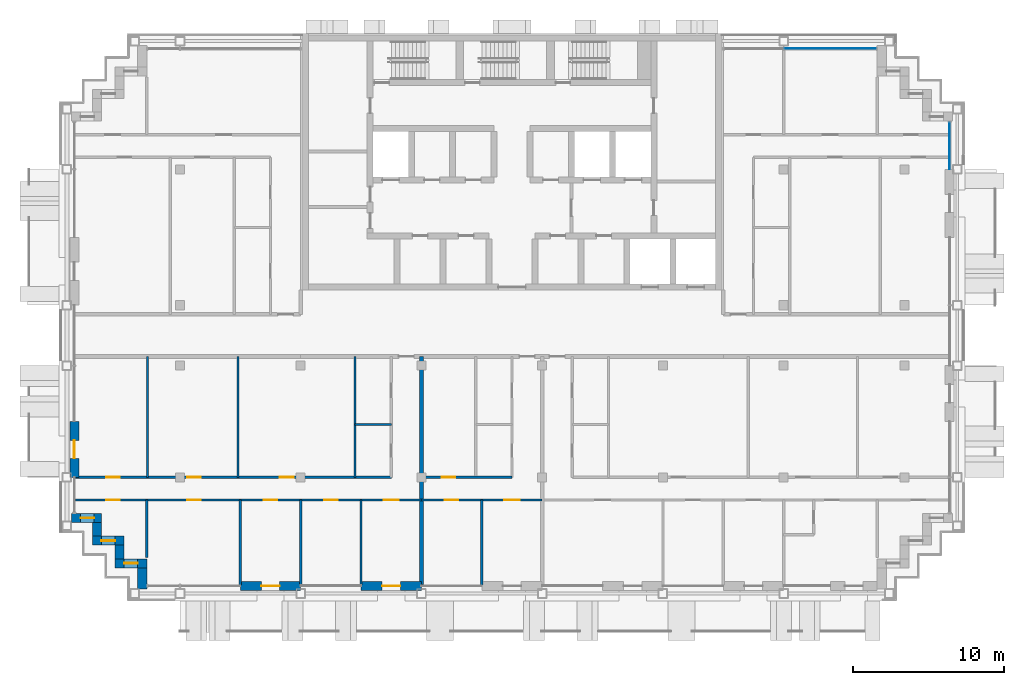
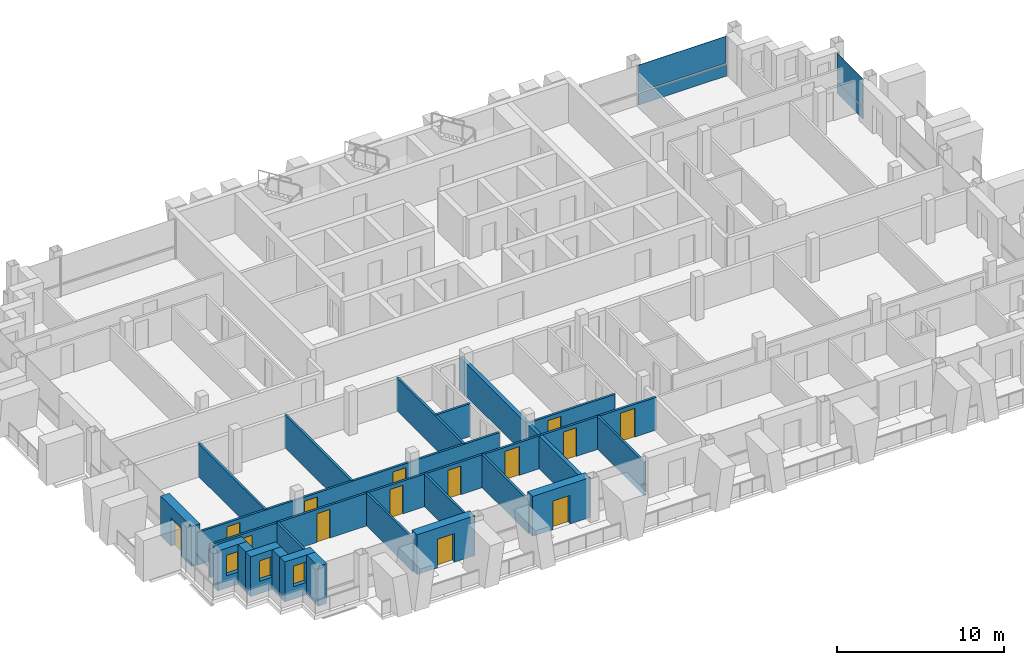
# One storey, part 7 of 16: 23 walls, 14 doors, 4 plates, 3 windows, 17 openings, 2 elements without a shape of their own.
"""IFC4 building model written with IfcOpenShell, lengths in metres."""

import ifcopenshell
import ifcopenshell.guid

model = None  # the IFC model being written
_history = None  # IfcOwnerHistory: only IFC2X3 demands one
_inside = {}  # id of a spatial element -> (the spatial element, [elements in it])
_under = {}  # id of a project, library or spatial element -> (it, [spatial elements below it])
_declared = {}  # id of a project -> (the project, [libraries it declares])
_typed = {}  # id of a type object -> (the type object, [elements of that type])
_made_of = {}  # id of a material, layer set ... -> (it, [elements and type objects made of it])


def new_model(schema):
    """Start an empty IFC model of exactly this schema.

    Asked for "IFC4X3", IfcOpenShell would pick the latest addendum, in which some entities
    have other attributes; the version numbers below select the first issue.
    IFC2X3 requires an IfcOwnerHistory on every rooted entity: one is made here for all.
    """
    global model, _history
    if schema == "IFC4X3":
        model = ifcopenshell.file(schema_version=(4, 3, 0, 0))
    else:
        model = ifcopenshell.file(schema=schema)
    _inside.clear()
    _under.clear()
    _declared.clear()
    _typed.clear()
    _made_of.clear()
    _history = None
    if model.schema == "IFC2X3":
        org = make("IfcOrganization", Name="unknown")
        user = make(
            "IfcPersonAndOrganization",
            ThePerson=make("IfcPerson", FamilyName="unknown"),
            TheOrganization=org,
        )
        app = make(
            "IfcApplication",
            ApplicationDeveloper=org,
            Version="unknown",
            ApplicationFullName="unknown",
            ApplicationIdentifier="unknown",
        )
        _history = make(
            "IfcOwnerHistory",
            OwningUser=user,
            OwningApplication=app,
            ChangeAction="ADDED",
            CreationDate=0,
        )
    return model


def make(cls, **values):
    """One entity of the class cls with the attributes given. An attribute that is None is left unset."""
    return model.create_entity(
        cls, **{name: value for name, value in values.items() if value is not None}
    )


def rooted(cls, **values):
    """An entity with a GlobalId (a new one), such as an element, a storey or a relation."""
    return make(cls, GlobalId=ifcopenshell.guid.new(), OwnerHistory=_history, **values)


def si_unit(unit_type, name, prefix=None):
    """IfcSIUnit, for example si_unit("LENGTHUNIT", "METRE", prefix="MILLI")."""
    return make("IfcSIUnit", UnitType=unit_type, Prefix=prefix, Name=name)


def assignment(units):
    """IfcUnitAssignment: the units of a project."""
    return None if units is None else make("IfcUnitAssignment", Units=units)


def point(xyz):
    """IfcCartesianPoint."""
    return None if xyz is None else make("IfcCartesianPoint", Coordinates=xyz)


def direction(xyz):
    """IfcDirection."""
    return None if xyz is None else make("IfcDirection", DirectionRatios=xyz)


def frame(location, z_axis=None, x_axis=None):
    """IfcAxis2Placement3D, a coordinate frame: its origin and axes. An axis left out is left unset."""
    return make(
        "IfcAxis2Placement3D",
        Location=point(location),
        Axis=direction(z_axis),
        RefDirection=direction(x_axis),
    )


def frame_2d(location, x_axis=None):
    """IfcAxis2Placement2D, a coordinate frame in the plane: its origin and x axis."""
    return make(
        "IfcAxis2Placement2D", Location=point(location), RefDirection=direction(x_axis)
    )


def origin():
    """The frame at (0, 0, 0) with its axes left unset."""
    return frame((0.0, 0.0, 0.0))


def origin_2d():
    """The frame at (0, 0) in the plane with its x axis left unset."""
    return frame_2d((0.0, 0.0))


def place(relative_to, where):
    """IfcLocalPlacement: puts the frame where relative to a parent placement (None: the world)."""
    return make(
        "IfcLocalPlacement", PlacementRelTo=relative_to, RelativePlacement=where
    )


def context(
    kind, dimensions, precision=None, world=None, true_north=None, identifier=None
):
    """IfcGeometricRepresentationContext, for example the 3D "Model" context."""
    return make(
        "IfcGeometricRepresentationContext",
        ContextIdentifier=identifier,
        ContextType=kind,
        CoordinateSpaceDimension=dimensions,
        Precision=precision,
        WorldCoordinateSystem=world,
        TrueNorth=true_north,
    )


def subcontext(parent, identifier, kind, view, scale=None):
    """IfcGeometricRepresentationSubContext, for example "Body" below "Model"."""
    return make(
        "IfcGeometricRepresentationSubContext",
        ContextIdentifier=identifier,
        ContextType=kind,
        ParentContext=parent,
        TargetScale=scale,
        TargetView=view,
    )


def project(units=None, contexts=None):
    """IfcProject with its units and contexts."""
    return rooted(
        "IfcProject",
        Name="project",
        RepresentationContexts=contexts,
        UnitsInContext=assignment(units),
    )


def spatial(cls, under=None, at=None, **own):
    """A site, building, storey or space (cls), placed at a placement, below another one or the project."""
    s = rooted(cls, ObjectPlacement=at, **own)
    if under is not None:
        _under.setdefault(under.id(), (under, []))[1].append(s)
    return s


def profile(cls, at=None, kind="AREA", **sizes):
    """A parametric profile (cls). Its sizes go by their IFC names, for example OverallWidth=200.0."""
    return make(cls, ProfileType=kind, Position=at, **sizes)


def rectangle(**sizes):
    """IfcRectangleProfileDef."""
    return profile("IfcRectangleProfileDef", **sizes)


def extrude(swept, where, along, depth):
    """IfcExtrudedAreaSolid: the profile swept, set in the frame where, extruded along a direction by depth."""
    return make(
        "IfcExtrudedAreaSolid",
        SweptArea=swept,
        Position=where,
        ExtrudedDirection=direction(along),
        Depth=depth,
    )


def shape(context_of_items, identifier, shape_type, items):
    """IfcShapeRepresentation: the items that make up one representation, for example the "Body"."""
    return make(
        "IfcShapeRepresentation",
        ContextOfItems=context_of_items,
        RepresentationIdentifier=identifier,
        RepresentationType=shape_type,
        Items=items,
    )


def material(Name=None, Category=None):
    """IfcMaterial."""
    return make("IfcMaterial", Name=Name, Category=Category)


def layer(
    of_material, thickness, ventilated=None, Name=None, Category=None, Priority=None
):
    """IfcMaterialLayer: one layer of a wall or slab, of a material (None: an air gap)."""
    return make(
        "IfcMaterialLayer",
        Material=of_material,
        LayerThickness=thickness,
        IsVentilated=ventilated,
        Name=Name,
        Category=Category,
        Priority=Priority,
    )


def layer_set(layers, Name=None):
    """IfcMaterialLayerSet."""
    return make("IfcMaterialLayerSet", MaterialLayers=layers, LayerSetName=Name)


def made_of(thing, what):
    """Note that an element or type object is made of a material, layer set ...; save() writes the relation."""
    if what is not None:
        _made_of.setdefault(what.id(), (what, []))[1].append(thing)
    return thing


def type_object(cls, material=None, **own):
    """A type object (cls), such as IfcWallType, which elements share."""
    return made_of(rooted(cls, **own), material)


def element(
    cls,
    number,
    at=None,
    inside=None,
    cuts=None,
    type_object=None,
    material=None,
    context=None,
    identifier="Body",
    shape_type=None,
    held_by="IfcProductDefinitionShape",
    body=None,
    shapes=None,
    **own,
):
    """One element of the class cls, such as IfcWall. Its Tag is "e" and its number.

    at: its placement. inside: the storey or other place that contains it. cuts: it is an
    opening in that element (IfcRelVoidsElement). A single representation is given by context,
    identifier, shape_type and body (its items); several are given by shapes. held_by: the class
    of the entity that holds the representations. save() writes the other relations.
    """
    e = rooted(cls, Tag="e%d" % number, ObjectPlacement=at, **own)
    if body is not None:
        shapes = [shape(context, identifier, shape_type, body)]
    if shapes is not None:
        e.Representation = make(held_by, Representations=shapes)
    if inside is not None:
        _inside.setdefault(inside.id(), (inside, []))[1].append(e)
    if cuts is not None:
        rooted(
            "IfcRelVoidsElement", RelatingBuildingElement=cuts, RelatedOpeningElement=e
        )
    if type_object is not None:
        _typed.setdefault(type_object.id(), (type_object, []))[1].append(e)
    return made_of(e, material)


def fill(opening, filler):
    """IfcRelFillsElement: the door or window that sits in an opening."""
    return rooted(
        "IfcRelFillsElement",
        RelatingOpeningElement=opening,
        RelatedBuildingElement=filler,
    )


def aggregate(whole, parts):
    """IfcRelAggregates: a whole, such as a stair, and the parts it consists of."""
    return rooted("IfcRelAggregates", RelatingObject=whole, RelatedObjects=parts)


def save(model, path):
    """Write the relations noted so far, then the file.

    IfcRelAggregates (storeys below a building ...), IfcRelContainedInSpatialStructure (elements
    in a storey), IfcRelDefinesByType, IfcRelAssociatesMaterial and IfcRelDeclares: one each for
    every whole, place, type object, material and project.
    """
    for whole, parts in _under.values():
        aggregate(whole, parts)
    for where, things in _inside.values():
        rooted(
            "IfcRelContainedInSpatialStructure",
            RelatedElements=things,
            RelatingStructure=where,
        )
    for kind, things in _typed.values():
        rooted("IfcRelDefinesByType", RelatedObjects=things, RelatingType=kind)
    for what, things in _made_of.values():
        rooted("IfcRelAssociatesMaterial", RelatedObjects=things, RelatingMaterial=what)
    for by, libraries in _declared.values():
        rooted("IfcRelDeclares", RelatingContext=by, RelatedDefinitions=libraries)
    model.write(path)


model = new_model("IFC4")

# Units and contexts
model_context = context("Model", 3, precision=1e-05, world=origin(), true_north=direction((0.0, 1.0)))
body_context = subcontext(model_context, "Body", "Model", "MODEL_VIEW")
ifc_project = project(units=[si_unit("LENGTHUNIT", "METRE"), si_unit("AREAUNIT", "SQUARE_METRE"), si_unit("VOLUMEUNIT", "CUBIC_METRE"), si_unit("PLANEANGLEUNIT", "RADIAN"), si_unit("MASSUNIT", "GRAM", prefix="KILO")], contexts=[model_context])

# Site, building, storey
site_placement = place(None, origin())
site = spatial("IfcSite", under=ifc_project, at=site_placement, CompositionType="ELEMENT")
building_placement = place(site_placement, origin())
building = spatial("IfcBuilding", under=site, at=building_placement, Name="Vidyagriha Tower", CompositionType="ELEMENT")
storey_placement = place(building_placement, frame((0.0, 0.0, 223.60009765625)))
storey = spatial("IfcBuildingStorey", under=building, at=storey_placement, Name="L58", CompositionType="ELEMENT", Elevation=223.60009765625)

# Curtain wall, plate
ifc_material_1 = material(Name="Aluminium and glass curtain wall", Category="aluminium")
curtain_wall_type = type_object("IfcCurtainWallType", Name="Dwelling skin unitised curtain wall", PredefinedType="USERDEFINED", material=ifc_material_1)
curtain_wall_1_placement = place(storey_placement, origin())
curtain_wall_1 = element("IfcCurtainWall", 1, at=curtain_wall_1_placement, inside=storey, type_object=curtain_wall_type, Name="CW1 dwelling skin", ObjectType="UNITISED", PredefinedType="USERDEFINED")
ifc_material_2 = material(Name="Glass dark ceramic-fritted spandrel", Category="glass")
ifc_layer_1 = layer(ifc_material_2, 0.0400390625)
ifc_layer_set_1 = layer_set([ifc_layer_1], Name="Glass dark ceramic-fritted spandrel")
plate_type_1 = type_object("IfcPlateType", Name="Ceramic-fritted spandrel panel", PredefinedType="CURTAIN_PANEL", material=ifc_layer_set_1)
plate_1_placement = place(storey_placement, frame((21.08251953125, 19.0, -0.000244140625), z_axis=(0.0, 0.0, 1.0), x_axis=(-1.0, 0.0, 0.0)))
plate_1 = element("IfcPlate", 2, at=plate_1_placement, type_object=plate_type_1, Name="CW1 panel 1.1", PredefinedType="CURTAIN_PANEL", context=body_context, shape_type="SweptSolid", body=[
    extrude(rectangle(XDim=6.094970703125, YDim=0.0400390625, at=origin_2d()), origin(), (0.0, 0.0, 1.0), 0.85009765625),
])

curtain_wall_2_placement = place(storey_placement, origin())
curtain_wall_2 = element("IfcCurtainWall", 3, at=curtain_wall_2_placement, inside=storey, type_object=curtain_wall_type, Name="CW1 dwelling skin", ObjectType="UNITISED", PredefinedType="USERDEFINED")
plate_2_placement = place(storey_placement, frame((29.0, 12.56494140625, -0.000244140625), z_axis=(0.0, 0.0, 1.0), x_axis=(0.0, 1.0, 0.0)))
plate_2 = element("IfcPlate", 4, at=plate_2_placement, type_object=plate_type_1, Name="CW1 panel 1.1", PredefinedType="CURTAIN_PANEL", context=body_context, shape_type="SweptSolid", body=[
    extrude(rectangle(XDim=3.1298828125, YDim=0.0400390625, at=origin_2d()), origin(), (0.0, 0.0, 1.0), 0.85009765625),
])

# Plate
ifc_material_3 = material(Name="Glass dark ceramic-fritted", Category="glass")
ifc_layer_2 = layer(ifc_material_3, 0.028076171875)
ifc_layer_set_2 = layer_set([ifc_layer_2], Name="Glass dark ceramic-fritted")
plate_type_2 = type_object("IfcPlateType", Name="Dark ceramic-fritted vision glass panel", PredefinedType="CURTAIN_PANEL", material=ifc_layer_set_2)
plate_3_placement = place(storey_placement, frame((21.08251953125, 19.0, 0.94970703125), z_axis=(0.0, 0.0, 1.0), x_axis=(-1.0, 0.0, 0.0)))
plate_3 = element("IfcPlate", 5, at=plate_3_placement, type_object=plate_type_2, Name="CW1 panel 1.2", PredefinedType="CURTAIN_PANEL", context=body_context, shape_type="SweptSolid", body=[
    extrude(rectangle(XDim=6.094970703125, YDim=0.028076171875, at=origin_2d()), origin(), (0.0, 0.0, 1.0), 1.969970703125),
])

aggregate(curtain_wall_1, [plate_1, plate_3])

plate_4_placement = place(storey_placement, frame((29.0, 12.56494140625, 0.94970703125), z_axis=(0.0, 0.0, 1.0), x_axis=(0.0, 1.0, 0.0)))
plate_4 = element("IfcPlate", 6, at=plate_4_placement, type_object=plate_type_2, Name="CW1 panel 1.2", PredefinedType="CURTAIN_PANEL", context=body_context, shape_type="SweptSolid", body=[
    extrude(rectangle(XDim=3.1298828125, YDim=0.028076171875, at=origin_2d()), origin(), (0.0, 0.0, 1.0), 1.969970703125),
])

aggregate(curtain_wall_2, [plate_2, plate_4])

# Wall, opening, door
ifc_material_4 = material(Name="Precast concrete C40/50 with brick facing", Category="concrete")
ifc_layer_3 = layer(ifc_material_4, 0.60009765625)
ifc_layer_set_3 = layer_set([ifc_layer_3], Name="Precast concrete C40/50 with brick facing")
wall_type_1 = type_object("IfcWallType", Name="Brick-faced precast wall 600", PredefinedType="STANDARD", material=ifc_layer_set_3)
wall_1_placement = place(storey_placement, frame((-29.0, -5.699951171875, 0.0), z_axis=(0.0, 0.0, 1.0), x_axis=(0.0, -1.0, 0.0)))
wall_1 = element("IfcWall", 7, at=wall_1_placement, inside=storey, type_object=wall_type_1, Name="Brick door bay wall L58 R16.6", PredefinedType="STANDARD", context=body_context, shape_type="SweptSolid", body=[
    extrude(rectangle(XDim=3.699951171875, YDim=0.60009765625, at=frame_2d((1.85009765625, 0.0))), origin(), (0.0, 0.0, 1.0), 2.919921875),
])
opening_1_placement = place(wall_1_placement, frame((1.25, 0.0, 0.0)))
opening_1 = element("IfcOpeningElement", 8, at=opening_1_placement, cuts=wall_1, Name="Opening D58-63", PredefinedType="OPENING", context=body_context, shape_type="SweptSolid", body=[
    extrude(rectangle(XDim=1.199951171875, YDim=2.10009765625, at=frame_2d((0.60009765625, 1.050048828125))), frame((0.0, 0.31005859375, 0.0), z_axis=(0.0, -1.0, 0.0), x_axis=(1.0, 0.0, 0.0)), (0.0, 0.0, 1.0), 0.6201171875),
])
ifc_material_5 = material(Name="Aluminium framed glazed sliding door", Category="aluminium")
door_type_1 = type_object("IfcDoorType", Name="Balcony sliding door 1200x2100", OperationType="NOTDEFINED", PredefinedType="DOOR", material=ifc_material_5)
door_1_placement = place(opening_1_placement, origin())
door_1 = element("IfcDoor", 9, at=door_1_placement, inside=storey, type_object=door_type_1, Name="Door D58-63", OperationType="SLIDING_TO_LEFT", OverallHeight=2.10009765625, OverallWidth=1.199951171875, PredefinedType="DOOR", context=body_context, shape_type="SweptSolid", body=[
    extrude(rectangle(XDim=1.199951171875, YDim=2.10009765625, at=frame_2d((0.60009765625, 1.050048828125))), frame((0.0, 0.02490234375, 0.0), z_axis=(0.0, -1.0, 0.0), x_axis=(1.0, 0.0, 0.0)), (0.0, 0.0, 1.0), 0.050048828125),
])
fill(opening_1, door_1)

# Wall, opening, window
wall_2_placement = place(storey_placement, frame((-29.199951171875, -12.10009765625, 0.0)))
wall_2 = element("IfcWall", 10, at=wall_2_placement, inside=storey, type_object=wall_type_1, Name="Stepped corner wall L58 R17", PredefinedType="STANDARD", context=body_context, shape_type="SweptSolid", body=[
    extrude(rectangle(XDim=2.0, YDim=0.60009765625, at=frame_2d((1.0, 0.0))), origin(), (0.0, 0.0, 1.0), 2.919921875),
])
opening_2_placement = place(wall_2_placement, frame((0.610107421875, 0.0, 0.89990234375)))
opening_2 = element("IfcOpeningElement", 11, at=opening_2_placement, cuts=wall_2, Name="Opening WN1", PredefinedType="OPENING", context=body_context, shape_type="SweptSolid", body=[
    extrude(rectangle(XDim=0.89990234375, YDim=1.5, at=frame_2d((0.449951171875, 0.75))), frame((0.0, 0.31005859375, 0.0), z_axis=(0.0, -1.0, 0.0), x_axis=(1.0, 0.0, 0.0)), (0.0, 0.0, 1.0), 0.6201171875),
])
ifc_material_6 = material(Name="Aluminium and glass window", Category="aluminium")
window_type = type_object("IfcWindowType", Name="Reveal window 900x1500", PartitioningType="NOTDEFINED", PredefinedType="WINDOW", material=ifc_material_6)
window_1_placement = place(opening_2_placement, origin())
window_1 = element("IfcWindow", 12, at=window_1_placement, inside=storey, type_object=window_type, Name="Reveal window L58 R17", OverallHeight=1.5, OverallWidth=0.89990234375, PartitioningType="SINGLE_PANEL", PredefinedType="WINDOW", context=body_context, shape_type="SweptSolid", body=[
    extrude(rectangle(XDim=0.89990234375, YDim=1.5, at=frame_2d((0.449951171875, 0.75))), frame((0.0, 0.030029296875, 0.0), z_axis=(0.0, -1.0, 0.0), x_axis=(1.0, 0.0, 0.0)), (0.0, 0.0, 1.0), 0.06005859375),
])
fill(opening_2, window_1)

# Wall
wall_3_placement = place(storey_placement, frame((-27.5, -12.39990234375, 0.0), z_axis=(0.0, 0.0, 1.0), x_axis=(0.0, -1.0, 0.0)))
element("IfcWall", 13, at=wall_3_placement, inside=storey, type_object=wall_type_1, Name="Stepped corner wall L58 R18", PredefinedType="STANDARD", context=body_context, shape_type="SweptSolid", body=[
    extrude(rectangle(XDim=0.900146484375, YDim=0.60009765625, at=frame_2d((0.4501953125, 0.0))), origin(), (0.0, 0.0, 1.0), 2.919921875),
])

# Wall, opening, window
wall_4_placement = place(storey_placement, frame((-27.800048828125, -13.60009765625, 0.0)))
wall_4 = element("IfcWall", 14, at=wall_4_placement, inside=storey, type_object=wall_type_1, Name="Stepped corner wall L58 R19", PredefinedType="STANDARD", context=body_context, shape_type="SweptSolid", body=[
    extrude(rectangle(XDim=2.10009765625, YDim=0.60009765625, at=frame_2d((1.050048828125, 0.0))), origin(), (0.0, 0.0, 1.0), 2.919921875),
])
opening_3_placement = place(wall_4_placement, frame((0.60009765625, 0.0, 0.89990234375)))
opening_3 = element("IfcOpeningElement", 15, at=opening_3_placement, cuts=wall_4, Name="Opening WN1", PredefinedType="OPENING", context=body_context, shape_type="SweptSolid", body=[
    extrude(rectangle(XDim=0.89990234375, YDim=1.5, at=frame_2d((0.449951171875, 0.75))), frame((0.0, 0.31005859375, 0.0), z_axis=(0.0, -1.0, 0.0), x_axis=(1.0, 0.0, 0.0)), (0.0, 0.0, 1.0), 0.6201171875),
])
window_2_placement = place(opening_3_placement, origin())
window_2 = element("IfcWindow", 16, at=window_2_placement, inside=storey, type_object=window_type, Name="Reveal window L58 R19", OverallHeight=1.5, OverallWidth=0.89990234375, PartitioningType="SINGLE_PANEL", PredefinedType="WINDOW", context=body_context, shape_type="SweptSolid", body=[
    extrude(rectangle(XDim=0.89990234375, YDim=1.5, at=frame_2d((0.449951171875, 0.75))), frame((0.0, 0.030029296875, 0.0), z_axis=(0.0, -1.0, 0.0), x_axis=(1.0, 0.0, 0.0)), (0.0, 0.0, 1.0), 0.06005859375),
])
fill(opening_3, window_2)

# Wall
wall_5_placement = place(storey_placement, frame((-26.0, -13.89990234375, 0.0), z_axis=(0.0, 0.0, 1.0), x_axis=(0.0, -1.0, 0.0)))
element("IfcWall", 17, at=wall_5_placement, inside=storey, type_object=wall_type_1, Name="Stepped corner wall L58 R20", PredefinedType="STANDARD", context=body_context, shape_type="SweptSolid", body=[
    extrude(rectangle(XDim=0.900146484375, YDim=0.60009765625, at=frame_2d((0.4501953125, 0.0))), origin(), (0.0, 0.0, 1.0), 2.919921875),
])

# Wall, opening, window
wall_6_placement = place(storey_placement, frame((-26.300048828125, -15.10009765625, 0.0)))
wall_6 = element("IfcWall", 18, at=wall_6_placement, inside=storey, type_object=wall_type_1, Name="Stepped corner wall L58 R21", PredefinedType="STANDARD", context=body_context, shape_type="SweptSolid", body=[
    extrude(rectangle(XDim=2.10009765625, YDim=0.60009765625, at=frame_2d((1.050048828125, 0.0))), origin(), (0.0, 0.0, 1.0), 2.919921875),
])
opening_4_placement = place(wall_6_placement, frame((0.60009765625, 0.0, 0.89990234375)))
opening_4 = element("IfcOpeningElement", 19, at=opening_4_placement, cuts=wall_6, Name="Opening WN1", PredefinedType="OPENING", context=body_context, shape_type="SweptSolid", body=[
    extrude(rectangle(XDim=0.89990234375, YDim=1.5, at=frame_2d((0.449951171875, 0.75))), frame((0.0, 0.31005859375, 0.0), z_axis=(0.0, -1.0, 0.0), x_axis=(1.0, 0.0, 0.0)), (0.0, 0.0, 1.0), 0.6201171875),
])
window_3_placement = place(opening_4_placement, origin())
window_3 = element("IfcWindow", 20, at=window_3_placement, inside=storey, type_object=window_type, Name="Reveal window L58 R21", OverallHeight=1.5, OverallWidth=0.89990234375, PartitioningType="SINGLE_PANEL", PredefinedType="WINDOW", context=body_context, shape_type="SweptSolid", body=[
    extrude(rectangle(XDim=0.89990234375, YDim=1.5, at=frame_2d((0.449951171875, 0.75))), frame((0.0, 0.030029296875, 0.0), z_axis=(0.0, -1.0, 0.0), x_axis=(1.0, 0.0, 0.0)), (0.0, 0.0, 1.0), 0.06005859375),
])
fill(opening_4, window_3)

# Wall
wall_7_placement = place(storey_placement, frame((-24.5, -15.39990234375, 0.0), z_axis=(0.0, 0.0, 1.0), x_axis=(0.0, -1.0, 0.0)))
element("IfcWall", 21, at=wall_7_placement, inside=storey, type_object=wall_type_1, Name="Stepped corner wall L58 R22", PredefinedType="STANDARD", context=body_context, shape_type="SweptSolid", body=[
    extrude(rectangle(XDim=1.400146484375, YDim=0.60009765625, at=frame_2d((0.7001953125, 0.0))), origin(), (0.0, 0.0, 1.0), 2.919921875),
])

# Wall, opening, door
wall_8_placement = place(storey_placement, frame((-18.0, -16.60009765625, 0.0)))
wall_8 = element("IfcWall", 22, at=wall_8_placement, inside=storey, type_object=wall_type_1, Name="Brick door bay wall L58 R23.3", PredefinedType="STANDARD", context=body_context, shape_type="SweptSolid", body=[
    extrude(rectangle(XDim=4.0, YDim=0.60009765625, at=frame_2d((2.0, 0.0))), origin(), (0.0, 0.0, 1.0), 2.919921875),
])
opening_5_placement = place(wall_8_placement, frame((1.39990234375, 0.0, 0.0)))
opening_5 = element("IfcOpeningElement", 23, at=opening_5_placement, cuts=wall_8, Name="Opening D58-64", PredefinedType="OPENING", context=body_context, shape_type="SweptSolid", body=[
    extrude(rectangle(XDim=1.199951171875, YDim=2.10009765625, at=frame_2d((0.60009765625, 1.050048828125))), frame((0.0, 0.31005859375, 0.0), z_axis=(0.0, -1.0, 0.0), x_axis=(1.0, 0.0, 0.0)), (0.0, 0.0, 1.0), 0.6201171875),
])
door_2_placement = place(opening_5_placement, origin())
door_2 = element("IfcDoor", 24, at=door_2_placement, inside=storey, type_object=door_type_1, Name="Door D58-64", OperationType="SLIDING_TO_LEFT", OverallHeight=2.10009765625, OverallWidth=1.199951171875, PredefinedType="DOOR", context=body_context, shape_type="SweptSolid", body=[
    extrude(rectangle(XDim=1.199951171875, YDim=2.10009765625, at=frame_2d((0.60009765625, 1.050048828125))), frame((0.0, 0.02490234375, 0.0), z_axis=(0.0, -1.0, 0.0), x_axis=(1.0, 0.0, 0.0)), (0.0, 0.0, 1.0), 0.050048828125),
])
fill(opening_5, door_2)

wall_9_placement = place(storey_placement, frame((-10.0, -16.60009765625, 0.0)))
wall_9 = element("IfcWall", 25, at=wall_9_placement, inside=storey, type_object=wall_type_1, Name="Brick door bay wall L58 R23.5", PredefinedType="STANDARD", context=body_context, shape_type="SweptSolid", body=[
    extrude(rectangle(XDim=4.0, YDim=0.60009765625, at=frame_2d((2.0, 0.0))), origin(), (0.0, 0.0, 1.0), 2.919921875),
])
opening_6_placement = place(wall_9_placement, frame((1.39990234375, 0.0, 0.0)))
opening_6 = element("IfcOpeningElement", 26, at=opening_6_placement, cuts=wall_9, Name="Opening D58-65", PredefinedType="OPENING", context=body_context, shape_type="SweptSolid", body=[
    extrude(rectangle(XDim=1.199951171875, YDim=2.10009765625, at=frame_2d((0.60009765625, 1.050048828125))), frame((0.0, 0.31005859375, 0.0), z_axis=(0.0, -1.0, 0.0), x_axis=(1.0, 0.0, 0.0)), (0.0, 0.0, 1.0), 0.6201171875),
])
door_3_placement = place(opening_6_placement, origin())
door_3 = element("IfcDoor", 27, at=door_3_placement, inside=storey, type_object=door_type_1, Name="Door D58-65", OperationType="SLIDING_TO_LEFT", OverallHeight=2.10009765625, OverallWidth=1.199951171875, PredefinedType="DOOR", context=body_context, shape_type="SweptSolid", body=[
    extrude(rectangle(XDim=1.199951171875, YDim=2.10009765625, at=frame_2d((0.60009765625, 1.050048828125))), frame((0.0, 0.02490234375, 0.0), z_axis=(0.0, -1.0, 0.0), x_axis=(1.0, 0.0, 0.0)), (0.0, 0.0, 1.0), 0.050048828125),
])
fill(opening_6, door_3)

# Walls
ifc_material_7 = material(Name="Fired clay brick masonry", Category="masonry")
ifc_layer_4 = layer(ifc_material_7, 0.25)
ifc_layer_set_4 = layer_set([ifc_layer_4], Name="Fired clay brick masonry")
wall_type_2 = type_object("IfcWallType", Name="Fired clay brick demising wall 250", PredefinedType="PARTITIONING", material=ifc_layer_set_4)
wall_10_placement = place(storey_placement, frame((-6.0, -1.39990234375, 0.0), z_axis=(0.0, 0.0, 1.0), x_axis=(0.0, -1.0, 0.0)))
element("IfcWall", 28, at=wall_10_placement, inside=storey, type_object=wall_type_2, Name="Wall all-L58-w035", PredefinedType="PARTITIONING", context=body_context, shape_type="SweptSolid", body=[
    extrude(rectangle(XDim=15.110107421875, YDim=0.25, at=frame_2d((7.55517578125, 0.0))), origin(), (0.0, 0.0, 1.0), 2.39990234375),
])
ifc_material_8 = material(Name="Gypsum board partition")
ifc_layer_5 = layer(ifc_material_8, 0.14990234375)
ifc_layer_set_5 = layer_set([ifc_layer_5], Name="Gypsum board partition")
wall_type_3 = type_object("IfcWallType", Name="Gypsum board partition 150", PredefinedType="PARTITIONING", material=ifc_layer_set_5)
wall_11_placement = place(storey_placement, frame((-8.0, -5.89990234375, 0.0), z_axis=(0.0, 0.0, 1.0), x_axis=(-1.0, 0.0, 0.0)))
element("IfcWall", 29, at=wall_11_placement, inside=storey, type_object=wall_type_3, Name="Wall all-L58-w004", PredefinedType="PARTITIONING", context=body_context, shape_type="SweptSolid", body=[
    extrude(rectangle(XDim=2.39990234375, YDim=0.14990234375, at=frame_2d((1.199951171875, 0.0))), origin(), (0.0, 0.0, 1.0), 2.39990234375),
])
for number, where, z_axis, x_axis, name in (
    (30, (-10.39990234375, -9.39990234375, 0.0), (0.0, 0.0, 1.0), (0.0, 1.0, 0.0), "Wall all-L58-w005"),
    (31, (-18.14990234375, -9.39990234375, 0.0), (0.0, 0.0, 1.0), (0.0, 1.0, 0.0), "Wall all-L58-w006"),
    (32, (-24.14990234375, -9.39990234375, 0.0), (0.0, 0.0, 1.0), (0.0, 1.0, 0.0), "Wall all-L58-w007"),
):
    element("IfcWall", number, at=place(storey_placement, frame(where, z_axis=z_axis, x_axis=x_axis)), inside=storey, type_object=wall_type_3, Name=name, PredefinedType="PARTITIONING", context=body_context, shape_type="SweptSolid", body=[
        extrude(rectangle(XDim=8.0, YDim=0.14990234375, at=frame_2d((4.0, 0.0))), origin(), (0.0, 0.0, 1.0), 2.39990234375),
    ])

# Wall, openings, doors
wall_12_placement = place(storey_placement, frame((-28.909912109375, -9.39990234375, 0.0)))
wall_12 = element("IfcWall", 33, at=wall_12_placement, inside=storey, type_object=wall_type_3, Name="Wall all-L58-w008", PredefinedType="PARTITIONING", context=body_context, shape_type="SweptSolid", body=[
    extrude(rectangle(XDim=20.909912109375, YDim=0.14990234375, at=frame_2d((10.455078125, 0.0))), origin(), (0.0, 0.0, 1.0), 2.39990234375),
])
opening_7_placement = place(wall_12_placement, frame((13.533935546875, 0.0, 0.0)))
opening_7 = element("IfcOpeningElement", 34, at=opening_7_placement, cuts=wall_12, Name="Opening D58-20", PredefinedType="OPENING", context=body_context, shape_type="SweptSolid", body=[
    extrude(rectangle(XDim=0.89990234375, YDim=2.10009765625, at=frame_2d((0.449951171875, 1.050048828125))), frame((0.0, 0.0849609375, 0.0), z_axis=(0.0, -1.0, 0.0), x_axis=(1.0, 0.0, 0.0)), (0.0, 0.0, 1.0), 0.169921875),
])
opening_8_placement = place(wall_12_placement, frame((7.385986328125, 0.0, 0.0)))
opening_8 = element("IfcOpeningElement", 35, at=opening_8_placement, cuts=wall_12, Name="Opening D58-21", PredefinedType="OPENING", context=body_context, shape_type="SweptSolid", body=[
    extrude(rectangle(XDim=0.89990234375, YDim=2.10009765625, at=frame_2d((0.449951171875, 1.050048828125))), frame((0.0, 0.0849609375, 0.0), z_axis=(0.0, -1.0, 0.0), x_axis=(1.0, 0.0, 0.0)), (0.0, 0.0, 1.0), 0.169921875),
])
opening_9_placement = place(wall_12_placement, frame((2.034912109375, 0.0, 0.0)))
opening_9 = element("IfcOpeningElement", 36, at=opening_9_placement, cuts=wall_12, Name="Opening D58-22", PredefinedType="OPENING", context=body_context, shape_type="SweptSolid", body=[
    extrude(rectangle(XDim=0.89990234375, YDim=2.10009765625, at=frame_2d((0.449951171875, 1.050048828125))), frame((0.0, 0.0849609375, 0.0), z_axis=(0.0, -1.0, 0.0), x_axis=(1.0, 0.0, 0.0)), (0.0, 0.0, 1.0), 0.169921875),
])
ifc_material_9 = material(Name="Timber door leaf", Category="wood")
door_type_2 = type_object("IfcDoorType", Name="Room door 900x2100", OperationType="NOTDEFINED", PredefinedType="DOOR", material=ifc_material_9)
door_4_placement = place(opening_7_placement, origin())
door_4 = element("IfcDoor", 37, at=door_4_placement, inside=storey, type_object=door_type_2, Name="Door D58-20", OperationType="SINGLE_SWING_LEFT", OverallHeight=2.10009765625, OverallWidth=0.89990234375, PredefinedType="DOOR", context=body_context, shape_type="SweptSolid", body=[
    extrude(rectangle(XDim=0.89990234375, YDim=2.10009765625, at=frame_2d((0.449951171875, 1.050048828125))), frame((0.0, 0.02490234375, 0.0), z_axis=(0.0, -1.0, 0.0), x_axis=(1.0, 0.0, 0.0)), (0.0, 0.0, 1.0), 0.050048828125),
])
fill(opening_7, door_4)
door_5_placement = place(opening_8_placement, origin())
door_5 = element("IfcDoor", 38, at=door_5_placement, inside=storey, type_object=door_type_2, Name="Door D58-21", OperationType="SINGLE_SWING_RIGHT", OverallHeight=2.10009765625, OverallWidth=0.89990234375, PredefinedType="DOOR", context=body_context, shape_type="SweptSolid", body=[
    extrude(rectangle(XDim=0.89990234375, YDim=2.10009765625, at=frame_2d((0.449951171875, 1.050048828125))), frame((0.0, 0.02490234375, 0.0), z_axis=(0.0, -1.0, 0.0), x_axis=(1.0, 0.0, 0.0)), (0.0, 0.0, 1.0), 0.050048828125),
])
fill(opening_8, door_5)
door_6_placement = place(opening_9_placement, origin())
door_6 = element("IfcDoor", 39, at=door_6_placement, inside=storey, type_object=door_type_2, Name="Door D58-22", OperationType="SINGLE_SWING_LEFT", OverallHeight=2.10009765625, OverallWidth=0.89990234375, PredefinedType="DOOR", context=body_context, shape_type="SweptSolid", body=[
    extrude(rectangle(XDim=0.89990234375, YDim=2.10009765625, at=frame_2d((0.449951171875, 1.050048828125))), frame((0.0, 0.02490234375, 0.0), z_axis=(0.0, -1.0, 0.0), x_axis=(1.0, 0.0, 0.0)), (0.0, 0.0, 1.0), 0.050048828125),
])
fill(opening_9, door_6)

wall_13_placement = place(storey_placement, frame((-6.0, -10.89990234375, 0.0), z_axis=(0.0, 0.0, 1.0), x_axis=(-1.0, 0.0, 0.0)))
wall_13 = element("IfcWall", 40, at=wall_13_placement, inside=storey, type_object=wall_type_3, Name="Wall all-L58-w012", PredefinedType="PARTITIONING", context=body_context, shape_type="SweptSolid", body=[
    extrude(rectangle(XDim=22.919921875, YDim=0.14990234375, at=frame_2d((11.4599609375, 0.0))), origin(), (0.0, 0.0, 1.0), 2.39990234375),
])
opening_10_placement = place(wall_13_placement, frame((20.0, 0.0, 0.0)))
opening_10 = element("IfcOpeningElement", 41, at=opening_10_placement, cuts=wall_13, Name="Opening D58-23", PredefinedType="OPENING", context=body_context, shape_type="SweptSolid", body=[
    extrude(rectangle(XDim=0.89990234375, YDim=2.10009765625, at=frame_2d((0.449951171875, 1.050048828125))), frame((0.0, 0.0849609375, 0.0), z_axis=(0.0, -1.0, 0.0), x_axis=(1.0, 0.0, 0.0)), (0.0, 0.0, 1.0), 0.169921875),
])
opening_11_placement = place(wall_13_placement, frame((14.6240234375, 0.0, 0.0)))
opening_11 = element("IfcOpeningElement", 42, at=opening_11_placement, cuts=wall_13, Name="Opening D58-24", PredefinedType="OPENING", context=body_context, shape_type="SweptSolid", body=[
    extrude(rectangle(XDim=0.89990234375, YDim=2.10009765625, at=frame_2d((0.449951171875, 1.050048828125))), frame((0.0, 0.0849609375, 0.0), z_axis=(0.0, -1.0, 0.0), x_axis=(1.0, 0.0, 0.0)), (0.0, 0.0, 1.0), 0.169921875),
])
opening_12_placement = place(wall_13_placement, frame((9.550048828125, 0.0, 0.0)))
opening_12 = element("IfcOpeningElement", 43, at=opening_12_placement, cuts=wall_13, Name="Opening D58-25", PredefinedType="OPENING", context=body_context, shape_type="SweptSolid", body=[
    extrude(rectangle(XDim=0.89990234375, YDim=2.10009765625, at=frame_2d((0.449951171875, 1.050048828125))), frame((0.0, 0.0849609375, 0.0), z_axis=(0.0, -1.0, 0.0), x_axis=(1.0, 0.0, 0.0)), (0.0, 0.0, 1.0), 0.169921875),
])
opening_13_placement = place(wall_13_placement, frame((5.550048828125, 0.0, 0.0)))
opening_13 = element("IfcOpeningElement", 44, at=opening_13_placement, cuts=wall_13, Name="Opening D58-26", PredefinedType="OPENING", context=body_context, shape_type="SweptSolid", body=[
    extrude(rectangle(XDim=0.89990234375, YDim=2.10009765625, at=frame_2d((0.449951171875, 1.050048828125))), frame((0.0, 0.0849609375, 0.0), z_axis=(0.0, -1.0, 0.0), x_axis=(1.0, 0.0, 0.0)), (0.0, 0.0, 1.0), 0.169921875),
])
opening_14_placement = place(wall_13_placement, frame((1.5, 0.0, 0.0)))
opening_14 = element("IfcOpeningElement", 45, at=opening_14_placement, cuts=wall_13, Name="Opening D58-27", PredefinedType="OPENING", context=body_context, shape_type="SweptSolid", body=[
    extrude(rectangle(XDim=1.0, YDim=2.10009765625, at=frame_2d((0.5, 1.050048828125))), frame((0.0, 0.0849609375, 0.0), z_axis=(0.0, -1.0, 0.0), x_axis=(1.0, 0.0, 0.0)), (0.0, 0.0, 1.0), 0.169921875),
])
ifc_material_10 = material(Name="Timber door leaf", Category="wood")
door_type_3 = type_object("IfcDoorType", Name="Room door 1000x2100", OperationType="NOTDEFINED", PredefinedType="DOOR", material=ifc_material_10)
door_7_placement = place(opening_14_placement, origin())
door_7 = element("IfcDoor", 46, at=door_7_placement, inside=storey, type_object=door_type_3, Name="Door D58-27", OperationType="SINGLE_SWING_RIGHT", OverallHeight=2.10009765625, OverallWidth=1.0, PredefinedType="DOOR", context=body_context, shape_type="SweptSolid", body=[
    extrude(rectangle(XDim=1.0, YDim=2.10009765625, at=frame_2d((0.5, 1.050048828125))), frame((0.0, 0.02490234375, 0.0), z_axis=(0.0, -1.0, 0.0), x_axis=(1.0, 0.0, 0.0)), (0.0, 0.0, 1.0), 0.050048828125),
])
fill(opening_14, door_7)
door_8_placement = place(opening_10_placement, origin())
door_8 = element("IfcDoor", 47, at=door_8_placement, inside=storey, type_object=door_type_2, Name="Door D58-23", OperationType="SINGLE_SWING_RIGHT", OverallHeight=2.10009765625, OverallWidth=0.89990234375, PredefinedType="DOOR", context=body_context, shape_type="SweptSolid", body=[
    extrude(rectangle(XDim=0.89990234375, YDim=2.10009765625, at=frame_2d((0.449951171875, 1.050048828125))), frame((0.0, 0.02490234375, 0.0), z_axis=(0.0, -1.0, 0.0), x_axis=(1.0, 0.0, 0.0)), (0.0, 0.0, 1.0), 0.050048828125),
])
fill(opening_10, door_8)
door_9_placement = place(opening_11_placement, origin())
door_9 = element("IfcDoor", 48, at=door_9_placement, inside=storey, type_object=door_type_2, Name="Door D58-24", OperationType="SINGLE_SWING_LEFT", OverallHeight=2.10009765625, OverallWidth=0.89990234375, PredefinedType="DOOR", context=body_context, shape_type="SweptSolid", body=[
    extrude(rectangle(XDim=0.89990234375, YDim=2.10009765625, at=frame_2d((0.449951171875, 1.050048828125))), frame((0.0, 0.02490234375, 0.0), z_axis=(0.0, -1.0, 0.0), x_axis=(1.0, 0.0, 0.0)), (0.0, 0.0, 1.0), 0.050048828125),
])
fill(opening_11, door_9)
door_10_placement = place(opening_12_placement, origin())
door_10 = element("IfcDoor", 49, at=door_10_placement, inside=storey, type_object=door_type_2, Name="Door D58-25", OperationType="SINGLE_SWING_RIGHT", OverallHeight=2.10009765625, OverallWidth=0.89990234375, PredefinedType="DOOR", context=body_context, shape_type="SweptSolid", body=[
    extrude(rectangle(XDim=0.89990234375, YDim=2.10009765625, at=frame_2d((0.449951171875, 1.050048828125))), frame((0.0, 0.02490234375, 0.0), z_axis=(0.0, -1.0, 0.0), x_axis=(1.0, 0.0, 0.0)), (0.0, 0.0, 1.0), 0.050048828125),
])
fill(opening_12, door_10)
door_11_placement = place(opening_13_placement, origin())
door_11 = element("IfcDoor", 50, at=door_11_placement, inside=storey, type_object=door_type_2, Name="Door D58-26", OperationType="SINGLE_SWING_RIGHT", OverallHeight=2.10009765625, OverallWidth=0.89990234375, PredefinedType="DOOR", context=body_context, shape_type="SweptSolid", body=[
    extrude(rectangle(XDim=0.89990234375, YDim=2.10009765625, at=frame_2d((0.449951171875, 1.050048828125))), frame((0.0, 0.02490234375, 0.0), z_axis=(0.0, -1.0, 0.0), x_axis=(1.0, 0.0, 0.0)), (0.0, 0.0, 1.0), 0.050048828125),
])
fill(opening_13, door_11)

# Walls
wall_14_placement = place(storey_placement, frame((-24.199951171875, -10.89990234375, 0.0), z_axis=(0.0, 0.0, 1.0), x_axis=(0.0, -1.0, 0.0)))
element("IfcWall", 51, at=wall_14_placement, inside=storey, type_object=wall_type_3, Name="Wall all-L58-w018", PredefinedType="PARTITIONING", context=body_context, shape_type="SweptSolid", body=[
    extrude(rectangle(XDim=3.820068359375, YDim=0.14990234375, at=frame_2d((1.91015625, 0.0))), origin(), (0.0, 0.0, 1.0), 2.39990234375),
])
wall_15_placement = place(storey_placement, frame((-18.0, -10.89990234375, 0.0), z_axis=(0.0, 0.0, 1.0), x_axis=(0.0, -1.0, 0.0)))
element("IfcWall", 52, at=wall_15_placement, inside=storey, type_object=wall_type_3, Name="Wall all-L58-w019", PredefinedType="PARTITIONING", context=body_context, shape_type="SweptSolid", body=[
    extrude(rectangle(XDim=5.62109375, YDim=0.14990234375, at=frame_2d((2.810546875, 0.0))), origin(), (0.0, 0.0, 1.0), 2.39990234375),
])
wall_16_placement = place(storey_placement, frame((-14.0, -10.89990234375, 0.0), z_axis=(0.0, 0.0, 1.0), x_axis=(0.0, -1.0, 0.0)))
element("IfcWall", 53, at=wall_16_placement, inside=storey, type_object=wall_type_3, Name="Wall all-L58-w020", PredefinedType="PARTITIONING", context=body_context, shape_type="SweptSolid", body=[
    extrude(rectangle(XDim=5.610107421875, YDim=0.14990234375, at=frame_2d((2.80517578125, 0.0))), origin(), (0.0, 0.0, 1.0), 2.39990234375),
])
wall_17_placement = place(storey_placement, frame((-10.0, -10.89990234375, 0.0), z_axis=(0.0, 0.0, 1.0), x_axis=(0.0, -1.0, 0.0)))
element("IfcWall", 54, at=wall_17_placement, inside=storey, type_object=wall_type_3, Name="Wall all-L58-w021", PredefinedType="PARTITIONING", context=body_context, shape_type="SweptSolid", body=[
    extrude(rectangle(XDim=5.62109375, YDim=0.14990234375, at=frame_2d((2.810546875, 0.0))), origin(), (0.0, 0.0, 1.0), 2.39990234375),
])

# Wall, opening, door
wall_18_placement = place(storey_placement, frame((-6.0, -9.39990234375, 0.0)))
wall_18 = element("IfcWall", 55, at=wall_18_placement, inside=storey, type_object=wall_type_3, Name="Wall all-L58-w028", PredefinedType="PARTITIONING", context=body_context, shape_type="SweptSolid", body=[
    extrude(rectangle(XDim=6.0, YDim=0.14990234375, at=frame_2d((3.0, 0.0))), origin(), (0.0, 0.0, 1.0), 2.39990234375),
])
opening_15_placement = place(wall_18_placement, frame((1.35009765625, 0.0, 0.0)))
opening_15 = element("IfcOpeningElement", 56, at=opening_15_placement, cuts=wall_18, Name="Opening D58-31", PredefinedType="OPENING", context=body_context, shape_type="SweptSolid", body=[
    extrude(rectangle(XDim=0.89990234375, YDim=2.10009765625, at=frame_2d((0.449951171875, 1.050048828125))), frame((0.0, 0.0849609375, 0.0), z_axis=(0.0, -1.0, 0.0), x_axis=(1.0, 0.0, 0.0)), (0.0, 0.0, 1.0), 0.169921875),
])
door_12_placement = place(opening_15_placement, origin())
door_12 = element("IfcDoor", 57, at=door_12_placement, inside=storey, type_object=door_type_2, Name="Door D58-31", OperationType="SINGLE_SWING_LEFT", OverallHeight=2.10009765625, OverallWidth=0.89990234375, PredefinedType="DOOR", context=body_context, shape_type="SweptSolid", body=[
    extrude(rectangle(XDim=0.89990234375, YDim=2.10009765625, at=frame_2d((0.449951171875, 1.050048828125))), frame((0.0, 0.02490234375, 0.0), z_axis=(0.0, -1.0, 0.0), x_axis=(1.0, 0.0, 0.0)), (0.0, 0.0, 1.0), 0.050048828125),
])
fill(opening_15, door_12)

# Wall, openings, doors
wall_19_placement = place(storey_placement, frame((2.0, -10.89990234375, 0.0), z_axis=(0.0, 0.0, 1.0), x_axis=(-1.0, 0.0, 0.0)))
wall_19 = element("IfcWall", 58, at=wall_19_placement, inside=storey, type_object=wall_type_3, Name="Wall all-L58-w030", PredefinedType="PARTITIONING", context=body_context, shape_type="SweptSolid", body=[
    extrude(rectangle(XDim=8.0, YDim=0.14990234375, at=frame_2d((4.0, 0.0))), origin(), (0.0, 0.0, 1.0), 2.39990234375),
])
opening_16_placement = place(wall_19_placement, frame((5.550048828125, 0.0, 0.0)))
opening_16 = element("IfcOpeningElement", 59, at=opening_16_placement, cuts=wall_19, Name="Opening D58-32", PredefinedType="OPENING", context=body_context, shape_type="SweptSolid", body=[
    extrude(rectangle(XDim=0.89990234375, YDim=2.10009765625, at=frame_2d((0.449951171875, 1.050048828125))), frame((0.0, 0.0849609375, 0.0), z_axis=(0.0, -1.0, 0.0), x_axis=(1.0, 0.0, 0.0)), (0.0, 0.0, 1.0), 0.169921875),
])
opening_17_placement = place(wall_19_placement, frame((1.5, 0.0, 0.0)))
opening_17 = element("IfcOpeningElement", 60, at=opening_17_placement, cuts=wall_19, Name="Opening D58-33", PredefinedType="OPENING", context=body_context, shape_type="SweptSolid", body=[
    extrude(rectangle(XDim=1.0, YDim=2.10009765625, at=frame_2d((0.5, 1.050048828125))), frame((0.0, 0.0849609375, 0.0), z_axis=(0.0, -1.0, 0.0), x_axis=(1.0, 0.0, 0.0)), (0.0, 0.0, 1.0), 0.169921875),
])
door_13_placement = place(opening_17_placement, origin())
door_13 = element("IfcDoor", 61, at=door_13_placement, inside=storey, type_object=door_type_3, Name="Door D58-33", OperationType="SINGLE_SWING_RIGHT", OverallHeight=2.10009765625, OverallWidth=1.0, PredefinedType="DOOR", context=body_context, shape_type="SweptSolid", body=[
    extrude(rectangle(XDim=1.0, YDim=2.10009765625, at=frame_2d((0.5, 1.050048828125))), frame((0.0, 0.02490234375, 0.0), z_axis=(0.0, -1.0, 0.0), x_axis=(1.0, 0.0, 0.0)), (0.0, 0.0, 1.0), 0.050048828125),
])
fill(opening_17, door_13)
door_14_placement = place(opening_16_placement, origin())
door_14 = element("IfcDoor", 62, at=door_14_placement, inside=storey, type_object=door_type_2, Name="Door D58-32", OperationType="SINGLE_SWING_RIGHT", OverallHeight=2.10009765625, OverallWidth=0.89990234375, PredefinedType="DOOR", context=body_context, shape_type="SweptSolid", body=[
    extrude(rectangle(XDim=0.89990234375, YDim=2.10009765625, at=frame_2d((0.449951171875, 1.050048828125))), frame((0.0, 0.02490234375, 0.0), z_axis=(0.0, -1.0, 0.0), x_axis=(1.0, 0.0, 0.0)), (0.0, 0.0, 1.0), 0.050048828125),
])
fill(opening_16, door_14)

# Wall
wall_20_placement = place(storey_placement, frame((-2.0, -10.89990234375, 0.0), z_axis=(0.0, 0.0, 1.0), x_axis=(0.0, -1.0, 0.0)))
element("IfcWall", 63, at=wall_20_placement, inside=storey, type_object=wall_type_3, Name="Wall all-L58-w033", PredefinedType="PARTITIONING", context=body_context, shape_type="SweptSolid", body=[
    extrude(rectangle(XDim=5.62109375, YDim=0.14990234375, at=frame_2d((2.810546875, 0.0))), origin(), (0.0, 0.0, 1.0), 2.39990234375),
])

save(model, "model.ifc")
